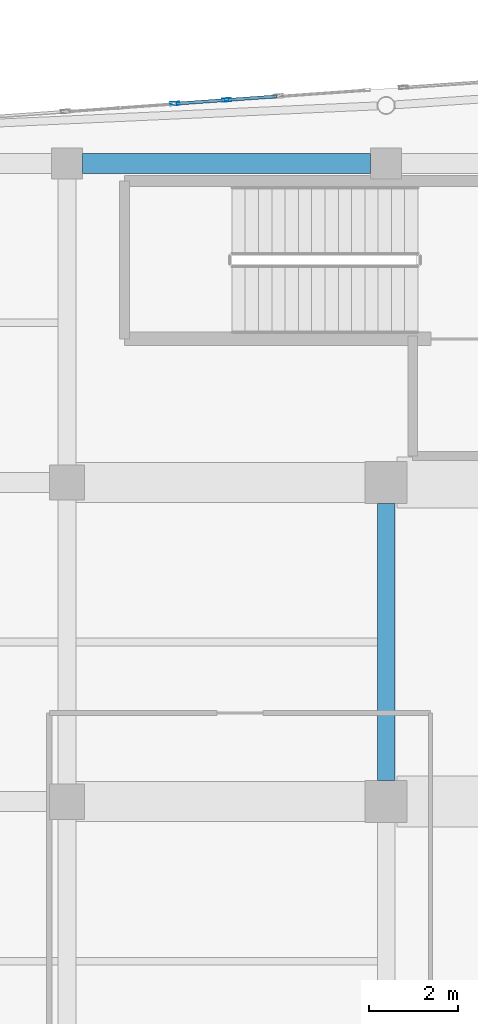
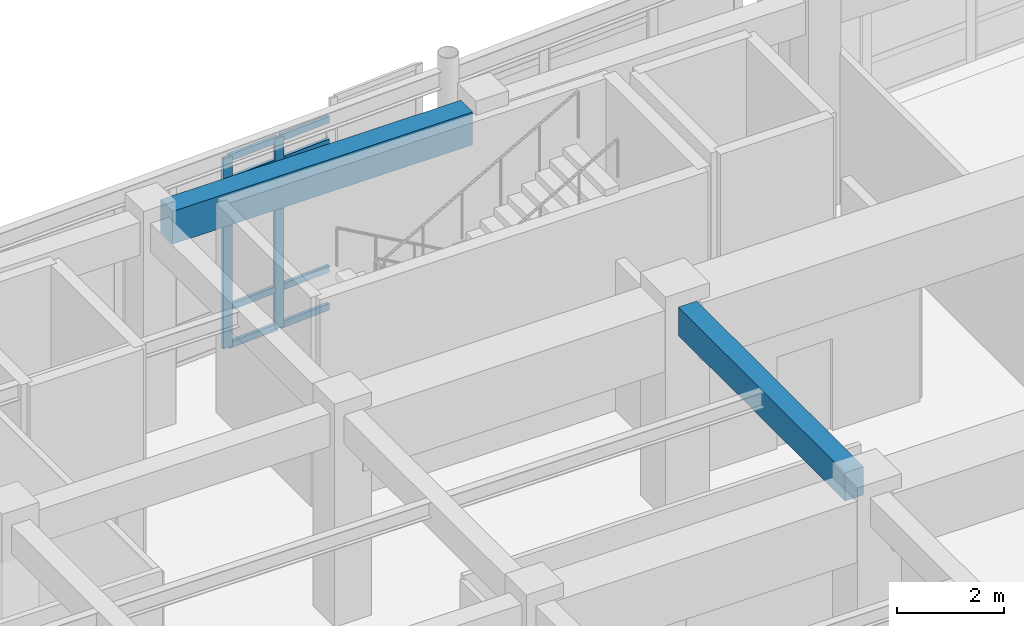
# One storey, part 31 of 117: 10 members, 2 beams, 1 element without a shape of its own.
"""IFC4 building model written with IfcOpenShell, lengths in metres."""

from ifc_helpers import new_model, si_unit, direction, frame, origin, origin_2d, place, context, subcontext, project, spatial, rectangle, hollow_rectangle, extrude, material, layer, layer_set, material_profile, profile_set, type_object, element, aggregate, save


model = new_model("IFC4")

# Units and contexts
model_context = context("Model", 3, precision=1e-05, world=origin(), true_north=direction((0.0, 1.0)))
body_context = subcontext(model_context, "Body", "Model", "MODEL_VIEW")
ifc_project = project(units=[si_unit("LENGTHUNIT", "METRE"), si_unit("AREAUNIT", "SQUARE_METRE"), si_unit("VOLUMEUNIT", "CUBIC_METRE"), si_unit("PLANEANGLEUNIT", "RADIAN"), si_unit("MASSUNIT", "GRAM", prefix="KILO")], contexts=[model_context])

# Site, building, storey
site_placement = place(None, origin())
site = spatial("IfcSite", under=ifc_project, at=site_placement, CompositionType="ELEMENT")
building_placement = place(site_placement, origin())
building = spatial("IfcBuilding", under=site, at=building_placement, Name="Carrowvane Square Congress Hotel", CompositionType="ELEMENT")
storey_placement = place(building_placement, frame((0.0, 0.0, 5.39990234375)))
storey = spatial("IfcBuildingStorey", under=building, at=storey_placement, Name="L01", CompositionType="ELEMENT", Elevation=5.39990234375)

# Beams
ifc_material_1 = material(Name="Concrete C35/45", Category="concrete")
ifc_material_profile_1 = material_profile(ifc_material_1, rectangle(XDim=0.39990234375, YDim=0.64990234375, at=origin_2d()), Name="RC 400x650")
ifc_profile_set_1 = profile_set([ifc_material_profile_1], Name="Concrete C35/45")
beam_type_1 = type_object("IfcBeamType", Name="BM-RC-400x650", PredefinedType="BEAM", material=ifc_profile_set_1)
beam_1_placement = place(storey_placement, frame((62.0, 99.47509765625, 4.455078125), z_axis=(0.0, 1.0, 0.0), x_axis=(-1.0, 0.0, 0.0)))
element("IfcBeam", 1, at=beam_1_placement, inside=storey, type_object=beam_type_1, Name="L02 girder 8/P-Q", PredefinedType="BEAM", context=body_context, shape_type="SweptSolid", body=[
    extrude(rectangle(XDim=0.39990234375, YDim=0.64990234375, at=origin_2d()), origin(), (0.0, 0.0, 1.0), 6.25),
])
ifc_material_2 = material(Name="Concrete C35/45", Category="concrete")
ifc_material_profile_2 = material_profile(ifc_material_2, rectangle(XDim=0.449951171875, YDim=0.75, at=origin_2d()), Name="RC 450x750")
ifc_profile_set_2 = profile_set([ifc_material_profile_2], Name="Concrete C35/45")
beam_type_2 = type_object("IfcBeamType", Name="BM-RC-450x750", PredefinedType="USERDEFINED", material=ifc_profile_set_2)
beam_2_placement = place(storey_placement, frame((55.14990234375, 113.39990234375, 4.405029296875), z_axis=(1.0, 0.0, 0.0), x_axis=(0.0, 1.0, 0.0)))
element("IfcBeam", 2, at=beam_2_placement, inside=storey, type_object=beam_type_2, Name="L02 girder R/7-8", ObjectType="GIRDER", PredefinedType="USERDEFINED", context=body_context, shape_type="SweptSolid", body=[
    extrude(rectangle(XDim=0.449951171875, YDim=0.75, at=origin_2d()), origin(), (0.0, 0.0, 1.0), 6.5),
])

# Curtain wall, members
ifc_material_3 = material(Name="Anodised aluminium", Category="aluminium")
ifc_layer = layer(ifc_material_3, 0.24609375)
ifc_layer_set = layer_set([ifc_layer], Name="Anodised aluminium")
curtain_wall_type = type_object("IfcCurtainWallType", Name="CW-SYS-8", PredefinedType="NOTDEFINED", material=ifc_layer_set)
curtain_wall_placement = place(storey_placement, origin())
curtain_wall = element("IfcCurtainWall", 3, at=curtain_wall_placement, inside=storey, type_object=curtain_wall_type, Name="L01 unitised curtain wall 71", PredefinedType="NOTDEFINED")
ifc_material_4 = material(Name="Anodised aluminium", Category="aluminium")
ifc_material_profile_3 = material_profile(ifc_material_4, hollow_rectangle(XDim=0.070068359375, YDim=0.199951171875, WallThickness=0.0048828125, at=origin_2d()), Name="CW-ML 70x200x5")
ifc_profile_set_3 = profile_set([ifc_material_profile_3], Name="Anodised aluminium")
member_type_1 = type_object("IfcMemberType", Name="CW-MUL-2", PredefinedType="MULLION", material=ifc_profile_set_3)
member_1_placement = place(storey_placement, frame((57.23486328125, 114.74560546875, 0.0), z_axis=(0.0, 0.0, 1.0), x_axis=(-0.071531759512, 0.997438322595, 0.0)))
member_1 = element("IfcMember", 4, at=member_1_placement, type_object=member_type_1, Name="CW-8 mullion 1", PredefinedType="MULLION", context=body_context, shape_type="SweptSolid", body=[
    extrude(hollow_rectangle(XDim=0.070068359375, YDim=0.199951171875, WallThickness=0.0048828125, at=origin_2d()), origin(), (0.0, 0.0, 1.0), 4.355712890625),
])
member_2_placement = place(storey_placement, frame((58.39990234375, 114.8291015625, 0.0), z_axis=(0.0, 0.0, 1.0), x_axis=(-0.071531759512, 0.997438322595, 0.0)))
member_2 = element("IfcMember", 5, at=member_2_placement, type_object=member_type_1, Name="CW-8 mullion 2", PredefinedType="MULLION", context=body_context, shape_type="SweptSolid", body=[
    extrude(hollow_rectangle(XDim=0.070068359375, YDim=0.199951171875, WallThickness=0.0048828125, at=origin_2d()), origin(), (0.0, 0.0, 1.0), 4.355712890625),
])
ifc_material_5 = material(Name="Anodised aluminium", Category="aluminium")
ifc_material_profile_4 = material_profile(ifc_material_5, hollow_rectangle(XDim=0.070068359375, YDim=0.14990234375, WallThickness=0.0048828125, at=origin_2d()), Name="CW-TR 70x150x5")
ifc_profile_set_4 = profile_set([ifc_material_profile_4], Name="Anodised aluminium")
member_type_2 = type_object("IfcMemberType", Name="CW-TRN-2", PredefinedType="USERDEFINED", material=ifc_profile_set_4)
member_3_placement = place(storey_placement, frame((57.269775390625, 114.748046875, 0.03515625), z_axis=(0.997433808996, 0.071594669304, 0.0), x_axis=(-0.071594669304, 0.997433808996, 0.0)))
member_3 = element("IfcMember", 6, at=member_3_placement, type_object=member_type_2, Name="CW-8 transom 1.1", ObjectType="TRANSOM", PredefinedType="USERDEFINED", context=body_context, shape_type="SweptSolid", body=[
    extrude(hollow_rectangle(XDim=0.070068359375, YDim=0.14990234375, WallThickness=0.0048828125, at=origin_2d()), origin(), (0.0, 0.0, 1.0), 1.09814453125),
])
member_4_placement = place(storey_placement, frame((57.269775390625, 114.748046875, 0.900146484375), z_axis=(0.997433808996, 0.071594669304, 0.0), x_axis=(-0.071594669304, 0.997433808996, 0.0)))
member_4 = element("IfcMember", 7, at=member_4_placement, type_object=member_type_2, Name="CW-8 transom 1.2", ObjectType="TRANSOM", PredefinedType="USERDEFINED", context=body_context, shape_type="SweptSolid", body=[
    extrude(hollow_rectangle(XDim=0.070068359375, YDim=0.14990234375, WallThickness=0.0048828125, at=origin_2d()), origin(), (0.0, 0.0, 1.0), 1.09814453125),
])
member_5_placement = place(storey_placement, frame((57.269775390625, 114.748046875, 3.8056640625), z_axis=(0.997433808996, 0.071594669304, 0.0), x_axis=(-0.071594669304, 0.997433808996, 0.0)))
member_5 = element("IfcMember", 8, at=member_5_placement, type_object=member_type_2, Name="CW-8 transom 1.3", ObjectType="TRANSOM", PredefinedType="USERDEFINED", context=body_context, shape_type="SweptSolid", body=[
    extrude(hollow_rectangle(XDim=0.070068359375, YDim=0.14990234375, WallThickness=0.0048828125, at=origin_2d()), origin(), (0.0, 0.0, 1.0), 1.09814453125),
])
member_6_placement = place(storey_placement, frame((57.269775390625, 114.748046875, 4.32080078125), z_axis=(0.997433808996, 0.071594669304, 0.0), x_axis=(-0.071594669304, 0.997433808996, 0.0)))
member_6 = element("IfcMember", 9, at=member_6_placement, type_object=member_type_2, Name="CW-8 transom 1.4", ObjectType="TRANSOM", PredefinedType="USERDEFINED", context=body_context, shape_type="SweptSolid", body=[
    extrude(hollow_rectangle(XDim=0.070068359375, YDim=0.14990234375, WallThickness=0.0048828125, at=origin_2d()), origin(), (0.0, 0.0, 1.0), 1.09814453125),
])
member_7_placement = place(storey_placement, frame((58.434814453125, 114.831787109375, 0.03515625), z_axis=(0.99745079479, 0.071357634305, 0.0), x_axis=(-0.071357634305, 0.99745079479, 0.0)))
member_7 = element("IfcMember", 10, at=member_7_placement, type_object=member_type_2, Name="CW-8 transom 2.1", ObjectType="TRANSOM", PredefinedType="USERDEFINED", context=body_context, shape_type="SweptSolid", body=[
    extrude(hollow_rectangle(XDim=0.070068359375, YDim=0.14990234375, WallThickness=0.0048828125, at=origin_2d()), origin(), (0.0, 0.0, 1.0), 1.09814453125),
])
member_8_placement = place(storey_placement, frame((58.434814453125, 114.831787109375, 0.900146484375), z_axis=(0.99745079479, 0.071357634305, 0.0), x_axis=(-0.071357634305, 0.99745079479, 0.0)))
member_8 = element("IfcMember", 11, at=member_8_placement, type_object=member_type_2, Name="CW-8 transom 2.2", ObjectType="TRANSOM", PredefinedType="USERDEFINED", context=body_context, shape_type="SweptSolid", body=[
    extrude(hollow_rectangle(XDim=0.070068359375, YDim=0.14990234375, WallThickness=0.0048828125, at=origin_2d()), origin(), (0.0, 0.0, 1.0), 1.09814453125),
])
member_9_placement = place(storey_placement, frame((58.434814453125, 114.831787109375, 3.8056640625), z_axis=(0.99745079479, 0.071357634305, 0.0), x_axis=(-0.071357634305, 0.99745079479, 0.0)))
member_9 = element("IfcMember", 12, at=member_9_placement, type_object=member_type_2, Name="CW-8 transom 2.3", ObjectType="TRANSOM", PredefinedType="USERDEFINED", context=body_context, shape_type="SweptSolid", body=[
    extrude(hollow_rectangle(XDim=0.070068359375, YDim=0.14990234375, WallThickness=0.0048828125, at=origin_2d()), origin(), (0.0, 0.0, 1.0), 1.09814453125),
])
member_10_placement = place(storey_placement, frame((58.434814453125, 114.831787109375, 4.32080078125), z_axis=(0.99745079479, 0.071357634305, 0.0), x_axis=(-0.071357634305, 0.99745079479, 0.0)))
member_10 = element("IfcMember", 13, at=member_10_placement, type_object=member_type_2, Name="CW-8 transom 2.4", ObjectType="TRANSOM", PredefinedType="USERDEFINED", context=body_context, shape_type="SweptSolid", body=[
    extrude(hollow_rectangle(XDim=0.070068359375, YDim=0.14990234375, WallThickness=0.0048828125, at=origin_2d()), origin(), (0.0, 0.0, 1.0), 1.09814453125),
])
aggregate(curtain_wall, [member_1, member_2, member_3, member_4, member_5, member_6, member_7, member_8, member_9, member_10])

save(model, "model.ifc")
